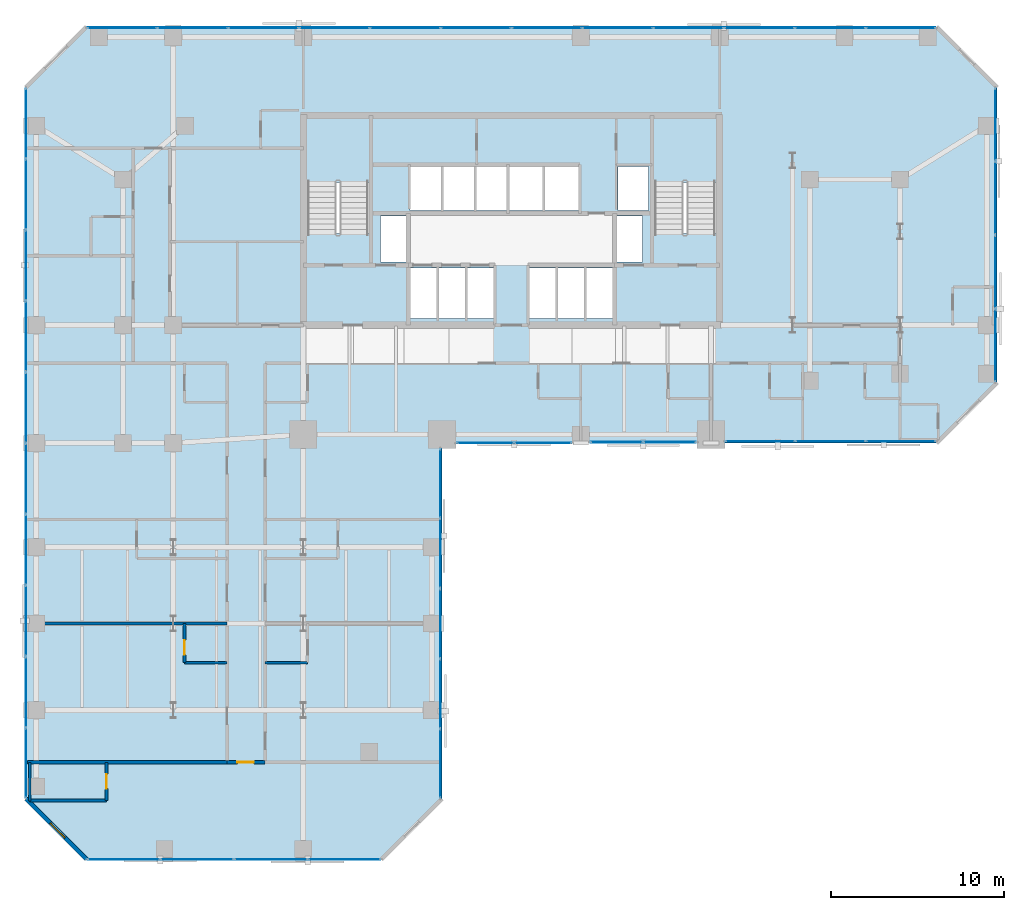
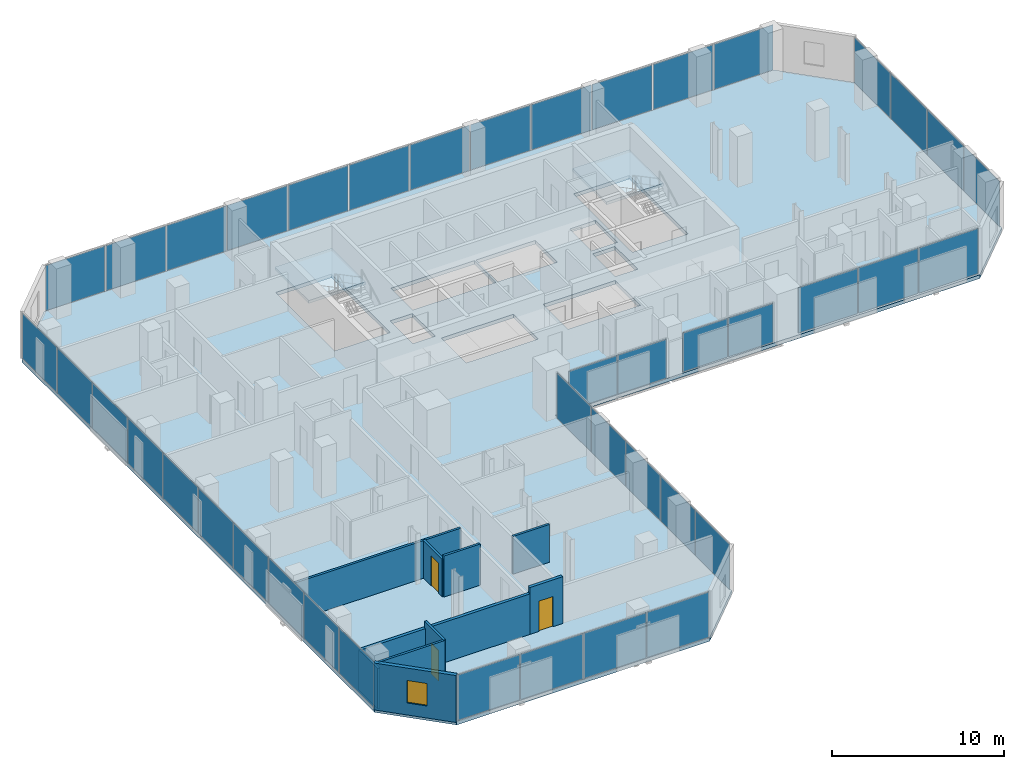
# One storey, part 26 of 31: 42 plates, 10 walls, 3 doors, 3 slabs, 1 window, 4 openings, 10 elements without a shape of their own.
"""IFC4 building model written with IfcOpenShell, lengths in metres."""

from ifc_helpers import new_model, si_unit, direction, frame, frame_2d, origin, origin_2d, place, context, subcontext, project, spatial, polyline, rectangle, outline, extrude, material, layer, layer_set, type_object, element, fill, aggregate, save


model = new_model("IFC4")

# Units and contexts
model_context = context("Model", 3, precision=1e-05, world=origin(), true_north=direction((0.0, 1.0)))
body_context = subcontext(model_context, "Body", "Model", "MODEL_VIEW")
ifc_project = project(units=[si_unit("LENGTHUNIT", "METRE"), si_unit("AREAUNIT", "SQUARE_METRE"), si_unit("VOLUMEUNIT", "CUBIC_METRE"), si_unit("PLANEANGLEUNIT", "RADIAN"), si_unit("MASSUNIT", "GRAM", prefix="KILO")], contexts=[model_context])

# Site, building, storey
site_placement = place(None, origin())
site = spatial("IfcSite", under=ifc_project, at=site_placement, CompositionType="ELEMENT")
building_placement = place(site_placement, origin())
building = spatial("IfcBuilding", under=site, at=building_placement, Name="Catumbela Crestline Tower", CompositionType="ELEMENT")
storey_placement = place(building_placement, frame((0.0, 0.0, 25.8)))
storey = spatial("IfcBuildingStorey", under=building, at=storey_placement, Name="L05", CompositionType="ELEMENT", Elevation=25.8)

# Curtain wall, plates
ifc_material_1 = material(Name="Aluminium alloy AW-6060-T66", Category="aluminium")
ifc_layer_1 = layer(ifc_material_1, 0.18, Name="Aluminium alloy AW-6060-T66")
ifc_layer_set_1 = layer_set([ifc_layer_1], Name="Aluminium alloy AW-6060-T66")
curtain_wall_type = type_object("IfcCurtainWallType", Name="CWU-Z1", PredefinedType="USERDEFINED", material=ifc_layer_set_1)
curtain_wall_1_placement = place(storey_placement, origin())
curtain_wall_1 = element("IfcCurtainWall", 1, at=curtain_wall_1_placement, inside=storey, type_object=curtain_wall_type, Name="L05 Unitised Curtain Wall CW-L05-E0S1", ObjectType="UNITISED", PredefinedType="USERDEFINED")
ifc_material_2 = material(Name="Low-E laminated solar-control double glazing", Category="glass")
ifc_layer_2 = layer(ifc_material_2, 0.034, Name="Low-E laminated solar-control double glazing")
ifc_layer_set_2 = layer_set([ifc_layer_2], Name="Low-E laminated solar-control double glazing")
plate_type = type_object("IfcPlateType", Name="PNL-GLZ-Z1", PredefinedType="CURTAIN_PANEL", material=ifc_layer_set_2)
plate_1_placement = place(storey_placement, frame((5.6412, 0.0, 0.06), z_axis=(0.0, 0.0, 1.0), x_axis=(1.0, 0.0, 0.0)))
plate_1 = element("IfcPlate", 2, at=plate_1_placement, type_object=plate_type, Name="CWU-Z1 panel 1.1", PredefinedType="CURTAIN_PANEL", context=body_context, shape_type="SweptSolid", body=[
    extrude(rectangle(XDim=4.1525, YDim=0.034, at=origin_2d()), origin(), (0.0, 0.0, 1.0), 3.21),
])
plate_2_placement = place(storey_placement, frame((9.875, 0.0, 0.06), z_axis=(0.0, 0.0, 1.0), x_axis=(1.0, 0.0, 0.0)))
plate_2 = element("IfcPlate", 3, at=plate_2_placement, type_object=plate_type, Name="CWU-Z1 panel 2.1", PredefinedType="CURTAIN_PANEL", context=body_context, shape_type="SweptSolid", body=[
    extrude(rectangle(XDim=4.185, YDim=0.034, at=origin_2d()), origin(), (0.0, 0.0, 1.0), 3.21),
])
plate_3_placement = place(storey_placement, frame((14.125, 0.0, 0.06), z_axis=(0.0, 0.0, 1.0), x_axis=(1.0, 0.0, 0.0)))
plate_3 = element("IfcPlate", 4, at=plate_3_placement, type_object=plate_type, Name="CWU-Z1 panel 3.1", PredefinedType="CURTAIN_PANEL", context=body_context, shape_type="SweptSolid", body=[
    extrude(rectangle(XDim=4.185, YDim=0.034, at=origin_2d()), origin(), (0.0, 0.0, 1.0), 3.21),
])
plate_4_placement = place(storey_placement, frame((18.3588, 0.0, 0.06), z_axis=(0.0, 0.0, 1.0), x_axis=(1.0, 0.0, 0.0)))
plate_4 = element("IfcPlate", 5, at=plate_4_placement, type_object=plate_type, Name="CWU-Z1 panel 4.1", PredefinedType="CURTAIN_PANEL", context=body_context, shape_type="SweptSolid", body=[
    extrude(rectangle(XDim=4.1525, YDim=0.034, at=origin_2d()), origin(), (0.0, 0.0, 1.0), 3.21),
])
aggregate(curtain_wall_1, [plate_1, plate_2, plate_3, plate_4])

curtain_wall_2_placement = place(storey_placement, origin())
curtain_wall_2 = element("IfcCurtainWall", 6, at=curtain_wall_2_placement, inside=storey, type_object=curtain_wall_type, Name="L05 Unitised Curtain Wall CW-L05-E2S1", ObjectType="UNITISED", PredefinedType="USERDEFINED")
plate_5_placement = place(storey_placement, frame((23.9, 5.5362, 0.06), z_axis=(0.0, 0.0, 1.0), x_axis=(0.0, 1.0, 0.0)))
plate_5 = element("IfcPlate", 7, at=plate_5_placement, type_object=plate_type, Name="CWU-Z1 panel 1.1", PredefinedType="CURTAIN_PANEL", context=body_context, shape_type="SweptSolid", body=[
    extrude(rectangle(XDim=3.9425, YDim=0.034, at=origin_2d()), origin(), (0.0, 0.0, 1.0), 3.21),
])
plate_6_placement = place(storey_placement, frame((23.9, 9.56, 0.06), z_axis=(0.0, 0.0, 1.0), x_axis=(0.0, 1.0, 0.0)))
plate_6 = element("IfcPlate", 8, at=plate_6_placement, type_object=plate_type, Name="CWU-Z1 panel 2.1", PredefinedType="CURTAIN_PANEL", context=body_context, shape_type="SweptSolid", body=[
    extrude(rectangle(XDim=3.975, YDim=0.034, at=origin_2d()), origin(), (0.0, 0.0, 1.0), 3.21),
])
plate_7_placement = place(storey_placement, frame((23.9, 13.6, 0.06), z_axis=(0.0, 0.0, 1.0), x_axis=(0.0, 1.0, 0.0)))
plate_7 = element("IfcPlate", 9, at=plate_7_placement, type_object=plate_type, Name="CWU-Z1 panel 3.1", PredefinedType="CURTAIN_PANEL", context=body_context, shape_type="SweptSolid", body=[
    extrude(rectangle(XDim=3.975, YDim=0.034, at=origin_2d()), origin(), (0.0, 0.0, 1.0), 3.21),
])
plate_8_placement = place(storey_placement, frame((23.9, 17.64, 0.06), z_axis=(0.0, 0.0, 1.0), x_axis=(0.0, 1.0, 0.0)))
plate_8 = element("IfcPlate", 10, at=plate_8_placement, type_object=plate_type, Name="CWU-Z1 panel 4.1", PredefinedType="CURTAIN_PANEL", context=body_context, shape_type="SweptSolid", body=[
    extrude(rectangle(XDim=3.975, YDim=0.034, at=origin_2d()), origin(), (0.0, 0.0, 1.0), 3.21),
])
plate_9_placement = place(storey_placement, frame((23.9, 21.6638, 0.06), z_axis=(0.0, 0.0, 1.0), x_axis=(0.0, 1.0, 0.0)))
plate_9 = element("IfcPlate", 11, at=plate_9_placement, type_object=plate_type, Name="CWU-Z1 panel 5.1", PredefinedType="CURTAIN_PANEL", context=body_context, shape_type="SweptSolid", body=[
    extrude(rectangle(XDim=3.9425, YDim=0.034, at=origin_2d()), origin(), (0.0, 0.0, 1.0), 3.21),
])
aggregate(curtain_wall_2, [plate_5, plate_6, plate_7, plate_8, plate_9])

curtain_wall_3_placement = place(storey_placement, origin())
curtain_wall_3 = element("IfcCurtainWall", 12, at=curtain_wall_3_placement, inside=storey, type_object=curtain_wall_type, Name="L05 Unitised Curtain Wall CW-L05-E3S1", ObjectType="UNITISED", PredefinedType="USERDEFINED")
plate_10_placement = place(storey_placement, frame((26.4912, 24.0, 0.06), z_axis=(0.0, 0.0, 1.0), x_axis=(1.0, 0.0, 0.0)))
plate_10 = element("IfcPlate", 13, at=plate_10_placement, type_object=plate_type, Name="CWU-Z1 panel 1.1", PredefinedType="CURTAIN_PANEL", context=body_context, shape_type="SweptSolid", body=[
    extrude(rectangle(XDim=3.2525, YDim=0.034, at=origin_2d()), origin(), (0.0, 0.0, 1.0), 2.75),
])
plate_11_placement = place(storey_placement, frame((29.8088, 24.0, 0.06), z_axis=(0.0, 0.0, 1.0), x_axis=(1.0, 0.0, 0.0)))
plate_11 = element("IfcPlate", 14, at=plate_11_placement, type_object=plate_type, Name="CWU-Z1 panel 2.1", PredefinedType="CURTAIN_PANEL", context=body_context, shape_type="SweptSolid", body=[
    extrude(rectangle(XDim=3.2525, YDim=0.034, at=origin_2d()), origin(), (0.0, 0.0, 1.0), 2.75),
])
aggregate(curtain_wall_3, [plate_10, plate_11])

curtain_wall_4_placement = place(storey_placement, origin())
curtain_wall_4 = element("IfcCurtainWall", 15, at=curtain_wall_4_placement, inside=storey, type_object=curtain_wall_type, Name="L05 Unitised Curtain Wall CW-L05-E3S2", ObjectType="UNITISED", PredefinedType="USERDEFINED")
plate_12_placement = place(storey_placement, frame((34.0662, 24.05, 0.06), z_axis=(0.0, 0.0, 1.0), x_axis=(1.0, 0.0, 0.0)))
plate_12 = element("IfcPlate", 16, at=plate_12_placement, type_object=plate_type, Name="CWU-Z1 panel 1.1", PredefinedType="CURTAIN_PANEL", context=body_context, shape_type="SweptSolid", body=[
    extrude(rectangle(XDim=3.0025, YDim=0.034, at=origin_2d()), origin(), (0.0, 0.0, 1.0), 2.75),
])
plate_13_placement = place(storey_placement, frame((37.1338, 24.05, 0.06), z_axis=(0.0, 0.0, 1.0), x_axis=(1.0, 0.0, 0.0)))
plate_13 = element("IfcPlate", 17, at=plate_13_placement, type_object=plate_type, Name="CWU-Z1 panel 2.1", PredefinedType="CURTAIN_PANEL", context=body_context, shape_type="SweptSolid", body=[
    extrude(rectangle(XDim=3.0025, YDim=0.034, at=origin_2d()), origin(), (0.0, 0.0, 1.0), 2.75),
])
aggregate(curtain_wall_4, [plate_12, plate_13])

curtain_wall_5_placement = place(storey_placement, origin())
curtain_wall_5 = element("IfcCurtainWall", 18, at=curtain_wall_5_placement, inside=storey, type_object=curtain_wall_type, Name="L05 Unitised Curtain Wall CW-L05-E3S3", ObjectType="UNITISED", PredefinedType="USERDEFINED")
plate_14_placement = place(storey_placement, frame((42.3496, 24.1, 0.06), z_axis=(0.0, 0.0, 1.0), x_axis=(1.0, 0.0, 0.0)))
plate_14 = element("IfcPlate", 19, at=plate_14_placement, type_object=plate_type, Name="CWU-Z1 panel 1.1", PredefinedType="CURTAIN_PANEL", context=body_context, shape_type="SweptSolid", body=[
    extrude(rectangle(XDim=3.9692, YDim=0.034, at=origin_2d()), origin(), (0.0, 0.0, 1.0), 3.21),
])
plate_15_placement = place(storey_placement, frame((46.4, 24.1, 0.06), z_axis=(0.0, 0.0, 1.0), x_axis=(1.0, 0.0, 0.0)))
plate_15 = element("IfcPlate", 20, at=plate_15_placement, type_object=plate_type, Name="CWU-Z1 panel 2.1", PredefinedType="CURTAIN_PANEL", context=body_context, shape_type="SweptSolid", body=[
    extrude(rectangle(XDim=4.0017, YDim=0.034, at=origin_2d()), origin(), (0.0, 0.0, 1.0), 3.21),
])
plate_16_placement = place(storey_placement, frame((50.4504, 24.1, 0.06), z_axis=(0.0, 0.0, 1.0), x_axis=(1.0, 0.0, 0.0)))
plate_16 = element("IfcPlate", 21, at=plate_16_placement, type_object=plate_type, Name="CWU-Z1 panel 3.1", PredefinedType="CURTAIN_PANEL", context=body_context, shape_type="SweptSolid", body=[
    extrude(rectangle(XDim=3.9692, YDim=0.034, at=origin_2d()), origin(), (0.0, 0.0, 1.0), 3.21),
])
aggregate(curtain_wall_5, [plate_14, plate_15, plate_16])

curtain_wall_6_placement = place(storey_placement, origin())
curtain_wall_6 = element("IfcCurtainWall", 22, at=curtain_wall_6_placement, inside=storey, type_object=curtain_wall_type, Name="L05 Unitised Curtain Wall CW-L05-E5S1", ObjectType="UNITISED", PredefinedType="USERDEFINED")
plate_17_placement = place(storey_placement, frame((55.9, 29.6412, 0.06), z_axis=(0.0, 0.0, 1.0), x_axis=(0.0, 1.0, 0.0)))
plate_17 = element("IfcPlate", 23, at=plate_17_placement, type_object=plate_type, Name="CWU-Z1 panel 1.1", PredefinedType="CURTAIN_PANEL", context=body_context, shape_type="SweptSolid", body=[
    extrude(rectangle(XDim=4.1525, YDim=0.034, at=origin_2d()), origin(), (0.0, 0.0, 1.0), 3.21),
])
plate_18_placement = place(storey_placement, frame((55.9, 33.875, 0.06), z_axis=(0.0, 0.0, 1.0), x_axis=(0.0, 1.0, 0.0)))
plate_18 = element("IfcPlate", 24, at=plate_18_placement, type_object=plate_type, Name="CWU-Z1 panel 2.1", PredefinedType="CURTAIN_PANEL", context=body_context, shape_type="SweptSolid", body=[
    extrude(rectangle(XDim=4.185, YDim=0.034, at=origin_2d()), origin(), (0.0, 0.0, 1.0), 3.21),
])
plate_19_placement = place(storey_placement, frame((55.9, 38.125, 0.06), z_axis=(0.0, 0.0, 1.0), x_axis=(0.0, 1.0, 0.0)))
plate_19 = element("IfcPlate", 25, at=plate_19_placement, type_object=plate_type, Name="CWU-Z1 panel 3.1", PredefinedType="CURTAIN_PANEL", context=body_context, shape_type="SweptSolid", body=[
    extrude(rectangle(XDim=4.185, YDim=0.034, at=origin_2d()), origin(), (0.0, 0.0, 1.0), 3.21),
])
plate_20_placement = place(storey_placement, frame((55.9, 42.3588, 0.06), z_axis=(0.0, 0.0, 1.0), x_axis=(0.0, 1.0, 0.0)))
plate_20 = element("IfcPlate", 26, at=plate_20_placement, type_object=plate_type, Name="CWU-Z1 panel 4.1", PredefinedType="CURTAIN_PANEL", context=body_context, shape_type="SweptSolid", body=[
    extrude(rectangle(XDim=4.1525, YDim=0.034, at=origin_2d()), origin(), (0.0, 0.0, 1.0), 3.21),
])
aggregate(curtain_wall_6, [plate_17, plate_18, plate_19, plate_20])

curtain_wall_7_placement = place(storey_placement, origin())
curtain_wall_7 = element("IfcCurtainWall", 27, at=curtain_wall_7_placement, inside=storey, type_object=curtain_wall_type, Name="L05 Unitised Curtain Wall CW-L05-E7S1", ObjectType="UNITISED", PredefinedType="USERDEFINED")
plate_21_placement = place(storey_placement, frame((50.4421, 47.95, 0.06), z_axis=(0.0, 0.0, 1.0), x_axis=(-1.0, 0.0, 0.0)))
plate_21 = element("IfcPlate", 28, at=plate_21_placement, type_object=plate_type, Name="CWU-Z1 panel 1.1", PredefinedType="CURTAIN_PANEL", context=body_context, shape_type="SweptSolid", body=[
    extrude(rectangle(XDim=3.9858, YDim=0.034, at=origin_2d()), origin(), (0.0, 0.0, 1.0), 3.21),
])
plate_22_placement = place(storey_placement, frame((46.375, 47.95, 0.06), z_axis=(0.0, 0.0, 1.0), x_axis=(-1.0, 0.0, 0.0)))
plate_22 = element("IfcPlate", 29, at=plate_22_placement, type_object=plate_type, Name="CWU-Z1 panel 2.1", PredefinedType="CURTAIN_PANEL", context=body_context, shape_type="SweptSolid", body=[
    extrude(rectangle(XDim=4.0183, YDim=0.034, at=origin_2d()), origin(), (0.0, 0.0, 1.0), 3.21),
])
plate_23_placement = place(storey_placement, frame((42.2917, 47.95, 0.06), z_axis=(0.0, 0.0, 1.0), x_axis=(-1.0, 0.0, 0.0)))
plate_23 = element("IfcPlate", 30, at=plate_23_placement, type_object=plate_type, Name="CWU-Z1 panel 3.1", PredefinedType="CURTAIN_PANEL", context=body_context, shape_type="SweptSolid", body=[
    extrude(rectangle(XDim=4.0183, YDim=0.034, at=origin_2d()), origin(), (0.0, 0.0, 1.0), 3.21),
])
plate_24_placement = place(storey_placement, frame((38.2083, 47.95, 0.06), z_axis=(0.0, 0.0, 1.0), x_axis=(-1.0, 0.0, 0.0)))
plate_24 = element("IfcPlate", 31, at=plate_24_placement, type_object=plate_type, Name="CWU-Z1 panel 4.1", PredefinedType="CURTAIN_PANEL", context=body_context, shape_type="SweptSolid", body=[
    extrude(rectangle(XDim=4.0183, YDim=0.034, at=origin_2d()), origin(), (0.0, 0.0, 1.0), 3.21),
])
plate_25_placement = place(storey_placement, frame((34.125, 47.95, 0.06), z_axis=(0.0, 0.0, 1.0), x_axis=(-1.0, 0.0, 0.0)))
plate_25 = element("IfcPlate", 32, at=plate_25_placement, type_object=plate_type, Name="CWU-Z1 panel 5.1", PredefinedType="CURTAIN_PANEL", context=body_context, shape_type="SweptSolid", body=[
    extrude(rectangle(XDim=4.0183, YDim=0.034, at=origin_2d()), origin(), (0.0, 0.0, 1.0), 3.21),
])
plate_26_placement = place(storey_placement, frame((30.0417, 47.95, 0.06), z_axis=(0.0, 0.0, 1.0), x_axis=(-1.0, 0.0, 0.0)))
plate_26 = element("IfcPlate", 33, at=plate_26_placement, type_object=plate_type, Name="CWU-Z1 panel 6.1", PredefinedType="CURTAIN_PANEL", context=body_context, shape_type="SweptSolid", body=[
    extrude(rectangle(XDim=4.0183, YDim=0.034, at=origin_2d()), origin(), (0.0, 0.0, 1.0), 3.21),
])
plate_27_placement = place(storey_placement, frame((25.9583, 47.95, 0.06), z_axis=(0.0, 0.0, 1.0), x_axis=(-1.0, 0.0, 0.0)))
plate_27 = element("IfcPlate", 34, at=plate_27_placement, type_object=plate_type, Name="CWU-Z1 panel 7.1", PredefinedType="CURTAIN_PANEL", context=body_context, shape_type="SweptSolid", body=[
    extrude(rectangle(XDim=4.0183, YDim=0.034, at=origin_2d()), origin(), (0.0, 0.0, 1.0), 3.21),
])
plate_28_placement = place(storey_placement, frame((21.875, 47.95, 0.06), z_axis=(0.0, 0.0, 1.0), x_axis=(-1.0, 0.0, 0.0)))
plate_28 = element("IfcPlate", 35, at=plate_28_placement, type_object=plate_type, Name="CWU-Z1 panel 8.1", PredefinedType="CURTAIN_PANEL", context=body_context, shape_type="SweptSolid", body=[
    extrude(rectangle(XDim=4.0183, YDim=0.034, at=origin_2d()), origin(), (0.0, 0.0, 1.0), 3.21),
])
plate_29_placement = place(storey_placement, frame((17.7917, 47.95, 0.06), z_axis=(0.0, 0.0, 1.0), x_axis=(-1.0, 0.0, 0.0)))
plate_29 = element("IfcPlate", 36, at=plate_29_placement, type_object=plate_type, Name="CWU-Z1 panel 9.1", PredefinedType="CURTAIN_PANEL", context=body_context, shape_type="SweptSolid", body=[
    extrude(rectangle(XDim=4.0183, YDim=0.034, at=origin_2d()), origin(), (0.0, 0.0, 1.0), 3.21),
])
plate_30_placement = place(storey_placement, frame((13.7083, 47.95, 0.06), z_axis=(0.0, 0.0, 1.0), x_axis=(-1.0, 0.0, 0.0)))
plate_30 = element("IfcPlate", 37, at=plate_30_placement, type_object=plate_type, Name="CWU-Z1 panel 10.1", PredefinedType="CURTAIN_PANEL", context=body_context, shape_type="SweptSolid", body=[
    extrude(rectangle(XDim=4.0183, YDim=0.034, at=origin_2d()), origin(), (0.0, 0.0, 1.0), 3.21),
])
plate_31_placement = place(storey_placement, frame((9.625, 47.95, 0.06), z_axis=(0.0, 0.0, 1.0), x_axis=(-1.0, 0.0, 0.0)))
plate_31 = element("IfcPlate", 38, at=plate_31_placement, type_object=plate_type, Name="CWU-Z1 panel 11.1", PredefinedType="CURTAIN_PANEL", context=body_context, shape_type="SweptSolid", body=[
    extrude(rectangle(XDim=4.0183, YDim=0.034, at=origin_2d()), origin(), (0.0, 0.0, 1.0), 3.21),
])
plate_32_placement = place(storey_placement, frame((5.5579, 47.95, 0.06), z_axis=(0.0, 0.0, 1.0), x_axis=(-1.0, 0.0, 0.0)))
plate_32 = element("IfcPlate", 39, at=plate_32_placement, type_object=plate_type, Name="CWU-Z1 panel 12.1", PredefinedType="CURTAIN_PANEL", context=body_context, shape_type="SweptSolid", body=[
    extrude(rectangle(XDim=3.9858, YDim=0.034, at=origin_2d()), origin(), (0.0, 0.0, 1.0), 3.21),
])
aggregate(curtain_wall_7, [plate_21, plate_22, plate_23, plate_24, plate_25, plate_26, plate_27, plate_28, plate_29, plate_30, plate_31, plate_32])

curtain_wall_8_placement = place(storey_placement, origin())
curtain_wall_8 = element("IfcCurtainWall", 40, at=curtain_wall_8_placement, inside=storey, type_object=curtain_wall_type, Name="L05 Unitised Curtain Wall CW-L05-E9S1", ObjectType="UNITISED", PredefinedType="USERDEFINED")
plate_33_placement = place(storey_placement, frame((0.0, 42.4338, 0.06), z_axis=(0.0, 0.0, 1.0), x_axis=(0.0, -1.0, 0.0)))
plate_33 = element("IfcPlate", 41, at=plate_33_placement, type_object=plate_type, Name="CWU-Z1 panel 1.1", PredefinedType="CURTAIN_PANEL", context=body_context, shape_type="SweptSolid", body=[
    extrude(rectangle(XDim=4.0025, YDim=0.034, at=origin_2d()), origin(), (0.0, 0.0, 1.0), 3.21),
])
plate_34_placement = place(storey_placement, frame((0.0, 38.35, 0.06), z_axis=(0.0, 0.0, 1.0), x_axis=(0.0, -1.0, 0.0)))
plate_34 = element("IfcPlate", 42, at=plate_34_placement, type_object=plate_type, Name="CWU-Z1 panel 2.1", PredefinedType="CURTAIN_PANEL", context=body_context, shape_type="SweptSolid", body=[
    extrude(rectangle(XDim=4.035, YDim=0.034, at=origin_2d()), origin(), (0.0, 0.0, 1.0), 3.21),
])
plate_35_placement = place(storey_placement, frame((0.0, 34.25, 0.06), z_axis=(0.0, 0.0, 1.0), x_axis=(0.0, -1.0, 0.0)))
plate_35 = element("IfcPlate", 43, at=plate_35_placement, type_object=plate_type, Name="CWU-Z1 panel 3.1", PredefinedType="CURTAIN_PANEL", context=body_context, shape_type="SweptSolid", body=[
    extrude(rectangle(XDim=4.035, YDim=0.034, at=origin_2d()), origin(), (0.0, 0.0, 1.0), 3.21),
])
plate_36_placement = place(storey_placement, frame((0.0, 30.15, 0.06), z_axis=(0.0, 0.0, 1.0), x_axis=(0.0, -1.0, 0.0)))
plate_36 = element("IfcPlate", 44, at=plate_36_placement, type_object=plate_type, Name="CWU-Z1 panel 4.1", PredefinedType="CURTAIN_PANEL", context=body_context, shape_type="SweptSolid", body=[
    extrude(rectangle(XDim=4.035, YDim=0.034, at=origin_2d()), origin(), (0.0, 0.0, 1.0), 3.21),
])
plate_37_placement = place(storey_placement, frame((0.0, 26.05, 0.06), z_axis=(0.0, 0.0, 1.0), x_axis=(0.0, -1.0, 0.0)))
plate_37 = element("IfcPlate", 45, at=plate_37_placement, type_object=plate_type, Name="CWU-Z1 panel 5.1", PredefinedType="CURTAIN_PANEL", context=body_context, shape_type="SweptSolid", body=[
    extrude(rectangle(XDim=4.035, YDim=0.034, at=origin_2d()), origin(), (0.0, 0.0, 1.0), 3.21),
])
plate_38_placement = place(storey_placement, frame((0.0, 21.95, 0.06), z_axis=(0.0, 0.0, 1.0), x_axis=(0.0, -1.0, 0.0)))
plate_38 = element("IfcPlate", 46, at=plate_38_placement, type_object=plate_type, Name="CWU-Z1 panel 6.1", PredefinedType="CURTAIN_PANEL", context=body_context, shape_type="SweptSolid", body=[
    extrude(rectangle(XDim=4.035, YDim=0.034, at=origin_2d()), origin(), (0.0, 0.0, 1.0), 3.21),
])
plate_39_placement = place(storey_placement, frame((0.0, 17.85, 0.06), z_axis=(0.0, 0.0, 1.0), x_axis=(0.0, -1.0, 0.0)))
plate_39 = element("IfcPlate", 47, at=plate_39_placement, type_object=plate_type, Name="CWU-Z1 panel 7.1", PredefinedType="CURTAIN_PANEL", context=body_context, shape_type="SweptSolid", body=[
    extrude(rectangle(XDim=4.035, YDim=0.034, at=origin_2d()), origin(), (0.0, 0.0, 1.0), 3.21),
])
plate_40_placement = place(storey_placement, frame((0.0, 13.75, 0.06), z_axis=(0.0, 0.0, 1.0), x_axis=(0.0, -1.0, 0.0)))
plate_40 = element("IfcPlate", 48, at=plate_40_placement, type_object=plate_type, Name="CWU-Z1 panel 8.1", PredefinedType="CURTAIN_PANEL", context=body_context, shape_type="SweptSolid", body=[
    extrude(rectangle(XDim=4.035, YDim=0.034, at=origin_2d()), origin(), (0.0, 0.0, 1.0), 3.21),
])
plate_41_placement = place(storey_placement, frame((0.0, 9.65, 0.06), z_axis=(0.0, 0.0, 1.0), x_axis=(0.0, -1.0, 0.0)))
plate_41 = element("IfcPlate", 49, at=plate_41_placement, type_object=plate_type, Name="CWU-Z1 panel 9.1", PredefinedType="CURTAIN_PANEL", context=body_context, shape_type="SweptSolid", body=[
    extrude(rectangle(XDim=4.035, YDim=0.034, at=origin_2d()), origin(), (0.0, 0.0, 1.0), 3.21),
])
plate_42_placement = place(storey_placement, frame((0.0, 5.5662, 0.06), z_axis=(0.0, 0.0, 1.0), x_axis=(0.0, -1.0, 0.0)))
plate_42 = element("IfcPlate", 50, at=plate_42_placement, type_object=plate_type, Name="CWU-Z1 panel 10.1", PredefinedType="CURTAIN_PANEL", context=body_context, shape_type="SweptSolid", body=[
    extrude(rectangle(XDim=4.0025, YDim=0.034, at=origin_2d()), origin(), (0.0, 0.0, 1.0), 3.21),
])
aggregate(curtain_wall_8, [plate_33, plate_34, plate_35, plate_36, plate_37, plate_38, plate_39, plate_40, plate_41, plate_42])

# Stair, slab
ifc_material_3 = material(Name="Concrete C45/55", Category="concrete")
stair_type = type_object("IfcStairType", Name="ST-DLG", PredefinedType="HALF_TURN_STAIR", material=ifc_material_3)
stair_1_placement = place(storey_placement, origin())
stair_1 = element("IfcStair", 51, at=stair_1_placement, inside=storey, type_object=stair_type, Name="L05 West Core Pressurised Exit Stair ST-01", PredefinedType="HALF_TURN_STAIR")
ifc_layer_3 = layer(ifc_material_3, 0.2, Name="Concrete C45/55")
ifc_layer_set_3 = layer_set([ifc_layer_3], Name="Concrete C45/55")
slab_type_1 = type_object("IfcSlabType", Name="SL-LND", PredefinedType="LANDING", material=ifc_layer_set_3)
slab_1_placement = place(storey_placement, frame((0.0, 0.0, 1.6)))
slab_1 = element("IfcSlab", 52, at=slab_1_placement, type_object=slab_type_1, Name="ST-01 landing 1", PredefinedType="LANDING", context=body_context, shape_type="SweptSolid", body=[
    extrude(outline(polyline([(19.91, 39.02), (19.91, 42.96), (16.09, 42.96), (16.09, 39.02), (19.91, 39.02)])), origin(), (0.0, 0.0, 1.0), 0.2),
])
aggregate(stair_1, [slab_1])

stair_2_placement = place(storey_placement, origin())
stair_2 = element("IfcStair", 53, at=stair_2_placement, inside=storey, type_object=stair_type, Name="L05 East Core Pressurised Exit Stair ST-02", PredefinedType="HALF_TURN_STAIR")
slab_2_placement = place(storey_placement, frame((0.0, 0.0, 1.6)))
slab_2 = element("IfcSlab", 54, at=slab_2_placement, type_object=slab_type_1, Name="ST-02 landing 1", PredefinedType="LANDING", context=body_context, shape_type="SweptSolid", body=[
    extrude(outline(polyline([(39.91, 39.02), (39.91, 42.96), (36.09, 42.96), (36.09, 39.02), (39.91, 39.02)])), origin(), (0.0, 0.0, 1.0), 0.2),
])
aggregate(stair_2, [slab_2])

# Slab
ifc_layer_4 = layer(ifc_material_3, 0.26, Name="Concrete C45/55")
ifc_layer_set_4 = layer_set([ifc_layer_4], Name="Concrete C45/55")
slab_type_2 = type_object("IfcSlabType", Name="SL-260", PredefinedType="FLOOR", material=ifc_layer_set_4)
slab_3_placement = place(storey_placement, frame((0.0, 0.0, -0.26)))
element("IfcSlab", 55, at=slab_3_placement, inside=storey, type_object=slab_type_2, Name="L05 Structural Floor Slab", PredefinedType="FLOOR", context=body_context, shape_type="SweptSolid", body=[
    extrude(outline(polyline([(3.5, 0.0), (20.5, 0.0), (24.0, 3.5), (24.0, 24.0), (52.5, 24.0), (56.0, 27.5), (56.0, 44.5), (52.5, 48.0), (3.5, 48.0), (0.0, 44.5), (0.0, 3.5), (3.5, 0.0)]), holes=[polyline([(16.13, 36.08), (19.87, 36.08), (19.87, 42.92), (16.13, 42.92), (16.13, 36.08)]), polyline([(36.13, 36.08), (39.87, 36.08), (39.87, 42.92), (36.13, 42.92), (36.13, 36.08)]), polyline([(22.15, 31.2), (27.0, 31.2), (27.0, 34.1), (22.15, 34.1), (22.15, 31.2)]), polyline([(29.0, 31.2), (33.85, 31.2), (33.85, 34.1), (29.0, 34.1), (29.0, 31.2)]), polyline([(22.15, 37.4), (27.75, 37.4), (27.75, 39.95), (22.15, 39.95), (22.15, 37.4)]), polyline([(27.85, 37.4), (31.85, 37.4), (31.85, 39.95), (27.85, 39.95), (27.85, 37.4)]), polyline([(20.45, 34.45), (21.95, 34.45), (21.95, 37.1), (20.45, 37.1), (20.45, 34.45)]), polyline([(34.05, 34.45), (35.55, 34.45), (35.55, 37.1), (34.05, 37.1), (34.05, 34.45)]), polyline([(34.15, 37.4), (35.9, 37.4), (35.9, 39.95), (34.15, 39.95), (34.15, 37.4)])]), origin(), (0.0, 0.0, 1.0), 0.26),
])

# Wall, opening, door
ifc_material_4 = material(Name="Acoustic gypsum and mineral-wool partition")
ifc_layer_5 = layer(ifc_material_4, 0.2, Name="Acoustic gypsum and mineral-wool partition")
ifc_layer_set_5 = layer_set([ifc_layer_5], Name="Acoustic gypsum and mineral-wool partition")
wall_type_1 = type_object("IfcWallType", Name="WC-200", PredefinedType="PARTITIONING", material=ifc_layer_set_5)
wall_1_placement = place(storey_placement, frame((11.6, 5.6, 0.0), z_axis=(0.0, 0.0, 1.0), x_axis=(1.0, 0.0, 0.0)))
wall_1 = element("IfcWall", 56, at=wall_1_placement, inside=storey, type_object=wall_type_1, Name="L05 Interior Partition PW-L05-WTIP-ENT", PredefinedType="PARTITIONING", context=body_context, shape_type="SweptSolid", body=[
    extrude(rectangle(XDim=2.2, YDim=0.2, at=frame_2d((1.1, 0.0))), origin(), (0.0, 0.0, 1.0), 3.33),
])
opening_1_placement = place(wall_1_placement, frame((0.5925, 0.0, 0.0)))
opening_1 = element("IfcOpeningElement", 57, at=opening_1_placement, cuts=wall_1, Name="Opening DF6-095", PredefinedType="OPENING", context=body_context, shape_type="SweptSolid", body=[
    extrude(rectangle(XDim=0.95, YDim=2.15, at=frame_2d((0.475, 1.075))), frame((0.0, 0.11, 0.0), z_axis=(0.0, -1.0, 0.0), x_axis=(1.0, 0.0, 0.0)), (0.0, 0.0, 1.0), 0.22),
])
door_type_1 = type_object("IfcDoorType", Name="DF6-095", OperationType="NOTDEFINED", PredefinedType="DOOR", material=ifc_material_1)
door_1_placement = place(opening_1_placement, origin())
door_1 = element("IfcDoor", 58, at=door_1_placement, inside=storey, type_object=door_type_1, Name="L05 Interior Door DR-L05-WTIP-ENT", OperationType="SINGLE_SWING_LEFT", OverallHeight=2.15, OverallWidth=0.95, PredefinedType="DOOR", context=body_context, shape_type="SweptSolid", body=[
    extrude(rectangle(XDim=0.95, YDim=2.15, at=frame_2d((0.475, 1.075))), frame((0.0, 0.025, 0.0), z_axis=(0.0, -1.0, 0.0), x_axis=(1.0, 0.0, 0.0)), (0.0, 0.0, 1.0), 0.05),
])
fill(opening_1, door_1)

# Wall, opening, window
ifc_material_5 = material(Name="Angolan grey-ochre granite", Category="masonry")
ifc_layer_6 = layer(ifc_material_5, 0.25, Name="Angolan grey-ochre granite")
ifc_layer_set_6 = layer_set([ifc_layer_6], Name="Angolan grey-ochre granite")
wall_type_2 = type_object("IfcWallType", Name="WE-250", PredefinedType="STANDARD", material=ifc_layer_set_6)
wall_2_placement = place(storey_placement, frame((0.0, 3.5, 0.0), z_axis=(0.0, 0.0, 1.0), x_axis=(0.707106781187, -0.707106781187, 0.0)))
wall_2 = element("IfcWall", 59, at=wall_2_placement, inside=storey, type_object=wall_type_2, Name="L05 Granite Punched Window Wall 10-1", PredefinedType="STANDARD", context=body_context, shape_type="SweptSolid", body=[
    extrude(rectangle(XDim=4.9497, YDim=0.25, at=frame_2d((2.4748, 0.0))), origin(), (0.0, 0.0, 1.0), 3.33),
])
opening_2_placement = place(wall_2_placement, frame((1.9851, 0.0, 0.85)))
opening_2 = element("IfcOpeningElement", 60, at=opening_2_placement, cuts=wall_2, Name="Opening WN-02", PredefinedType="OPENING", context=body_context, shape_type="SweptSolid", body=[
    extrude(rectangle(XDim=1.2, YDim=1.6, at=frame_2d((0.6, 0.8))), frame((0.0, 0.135, 0.0), z_axis=(0.0, -1.0, 0.0), x_axis=(1.0, 0.0, 0.0)), (0.0, 0.0, 1.0), 0.27),
])
window_type = type_object("IfcWindowType", Name="WO-1200", PartitioningType="SINGLE_PANEL", PredefinedType="WINDOW", material=ifc_material_2)
window_placement = place(opening_2_placement, origin())
window = element("IfcWindow", 61, at=window_placement, inside=storey, type_object=window_type, Name="L05 Facade Vision Window 52", OverallHeight=1.6, OverallWidth=1.2, PartitioningType="SINGLE_PANEL", PredefinedType="WINDOW", context=body_context, shape_type="SweptSolid", body=[
    extrude(rectangle(XDim=1.2, YDim=1.6, at=frame_2d((0.6, 0.8))), frame((0.0, 0.03, 0.0), z_axis=(0.0, -1.0, 0.0), x_axis=(1.0, 0.0, 0.0)), (0.0, 0.0, 1.0), 0.06),
])
fill(opening_2, window)

# Wall
ifc_layer_7 = layer(ifc_material_4, 0.15, Name="Acoustic gypsum and mineral-wool partition")
ifc_layer_set_7 = layer_set([ifc_layer_7], Name="Acoustic gypsum and mineral-wool partition")
wall_type_3 = type_object("IfcWallType", Name="WP-150", PredefinedType="PARTITIONING", material=ifc_layer_set_7)
wall_3_placement = place(storey_placement, frame((0.2, 3.4, 0.0), z_axis=(0.0, 0.0, 1.0), x_axis=(1.0, 0.0, 0.0)))
element("IfcWall", 62, at=wall_3_placement, inside=storey, type_object=wall_type_3, Name="L05 Interior Partition PW-L05-WTIP-BHW", PredefinedType="PARTITIONING", context=body_context, shape_type="SweptSolid", body=[
    extrude(rectangle(XDim=4.45, YDim=0.15, at=frame_2d((2.225, 0.0))), origin(), (0.0, 0.0, 1.0), 3.33),
])

# Wall, opening, door
wall_4_placement = place(storey_placement, frame((4.65, 3.4, 0.0), z_axis=(0.0, 0.0, 1.0), x_axis=(0.0, 1.0, 0.0)))
wall_4 = element("IfcWall", 63, at=wall_4_placement, inside=storey, type_object=wall_type_3, Name="L05 Interior Partition PW-L05-WTIP-BEW", PredefinedType="PARTITIONING", context=body_context, shape_type="SweptSolid", body=[
    extrude(rectangle(XDim=2.2, YDim=0.15, at=frame_2d((1.1, 0.0))), origin(), (0.0, 0.0, 1.0), 3.33),
])
opening_3_placement = place(wall_4_placement, frame((0.675, 0.0, 0.0)))
opening_3 = element("IfcOpeningElement", 64, at=opening_3_placement, cuts=wall_4, Name="Opening DI-085", PredefinedType="OPENING", context=body_context, shape_type="SweptSolid", body=[
    extrude(rectangle(XDim=0.85, YDim=2.15, at=frame_2d((0.425, 1.075))), frame((0.0, 0.085, 0.0), z_axis=(0.0, -1.0, 0.0), x_axis=(1.0, 0.0, 0.0)), (0.0, 0.0, 1.0), 0.17),
])
door_type_2 = type_object("IfcDoorType", Name="DI-085", OperationType="NOTDEFINED", PredefinedType="DOOR", material=ifc_material_1)
door_2_placement = place(opening_3_placement, origin())
door_2 = element("IfcDoor", 65, at=door_2_placement, inside=storey, type_object=door_type_2, Name="L05 Interior Door DR-L05-WTIP-BTH", OperationType="SINGLE_SWING_LEFT", OverallHeight=2.15, OverallWidth=0.85, PredefinedType="DOOR", context=body_context, shape_type="SweptSolid", body=[
    extrude(rectangle(XDim=0.85, YDim=2.15, at=frame_2d((0.425, 1.075))), frame((0.0, 0.025, 0.0), z_axis=(0.0, -1.0, 0.0), x_axis=(1.0, 0.0, 0.0)), (0.0, 0.0, 1.0), 0.05),
])
fill(opening_3, door_2)

# Walls
wall_5_placement = place(storey_placement, frame((0.22, 3.38, 0.0), z_axis=(0.0, 0.0, 1.0), x_axis=(0.0, 1.0, 0.0)))
element("IfcWall", 66, at=wall_5_placement, inside=storey, type_object=wall_type_3, Name="L05 Interior Partition PW-L05-WTIP-BCL-3", PredefinedType="PARTITIONING", context=body_context, shape_type="SweptSolid", body=[
    extrude(rectangle(XDim=2.22, YDim=0.15, at=frame_2d((1.11, 0.0))), origin(), (0.0, 0.0, 1.0), 2.87),
])
wall_6_placement = place(storey_placement, frame((9.15, 11.35, 0.0), z_axis=(0.0, 0.0, 1.0), x_axis=(1.0, 0.0, 0.0)))
element("IfcWall", 67, at=wall_6_placement, inside=storey, type_object=wall_type_3, Name="L05 Interior Partition PW-L05-WL1-BSW", PredefinedType="PARTITIONING", context=body_context, shape_type="SweptSolid", body=[
    extrude(rectangle(XDim=2.45, YDim=0.15, at=frame_2d((1.225, 0.0))), origin(), (0.0, 0.0, 1.0), 2.92),
])

# Wall, opening, door
wall_7_placement = place(storey_placement, frame((9.15, 11.35, 0.0), z_axis=(0.0, 0.0, 1.0), x_axis=(0.0, 1.0, 0.0)))
wall_7 = element("IfcWall", 68, at=wall_7_placement, inside=storey, type_object=wall_type_3, Name="L05 Interior Partition PW-L05-WL1-BWW", PredefinedType="PARTITIONING", context=body_context, shape_type="SweptSolid", body=[
    extrude(rectangle(XDim=2.25, YDim=0.15, at=frame_2d((1.125, 0.0))), origin(), (0.0, 0.0, 1.0), 2.68),
])
opening_4_placement = place(wall_7_placement, frame((0.4444, 0.0, 0.0)))
opening_4 = element("IfcOpeningElement", 69, at=opening_4_placement, cuts=wall_7, Name="Opening DI-085", PredefinedType="OPENING", context=body_context, shape_type="SweptSolid", body=[
    extrude(rectangle(XDim=0.85, YDim=2.15, at=frame_2d((0.425, 1.075))), frame((0.0, 0.085, 0.0), z_axis=(0.0, -1.0, 0.0), x_axis=(1.0, 0.0, 0.0)), (0.0, 0.0, 1.0), 0.17),
])
door_3_placement = place(opening_4_placement, origin())
door_3 = element("IfcDoor", 70, at=door_3_placement, inside=storey, type_object=door_type_2, Name="L05 Interior Door DR-L05-WL1-BTH", OperationType="SINGLE_SWING_LEFT", OverallHeight=2.15, OverallWidth=0.85, PredefinedType="DOOR", context=body_context, shape_type="SweptSolid", body=[
    extrude(rectangle(XDim=0.85, YDim=2.15, at=frame_2d((0.425, 1.075))), frame((0.0, 0.025, 0.0), z_axis=(0.0, -1.0, 0.0), x_axis=(1.0, 0.0, 0.0)), (0.0, 0.0, 1.0), 0.05),
])
fill(opening_4, door_3)

# Walls
wall_8_placement = place(storey_placement, frame((0.1, 13.6, 0.0), z_axis=(0.0, 0.0, 1.0), x_axis=(1.0, 0.0, 0.0)))
element("IfcWall", 71, at=wall_8_placement, inside=storey, type_object=wall_type_3, Name="L05 Interior Partition PW-L05-WL1-BCL-1", PredefinedType="PARTITIONING", context=body_context, shape_type="SweptSolid", body=[
    extrude(rectangle(XDim=11.5, YDim=0.15, at=frame_2d((5.75, 0.0))), origin(), (0.0, 0.0, 1.0), 2.68),
])
wall_9_placement = place(storey_placement, frame((13.8, 11.35, 0.0), z_axis=(0.0, 0.0, 1.0), x_axis=(1.0, 0.0, 0.0)))
element("IfcWall", 72, at=wall_9_placement, inside=storey, type_object=wall_type_3, Name="L05 Interior Partition PW-L05-WR1-BSW", PredefinedType="PARTITIONING", context=body_context, shape_type="SweptSolid", body=[
    extrude(rectangle(XDim=2.45, YDim=0.15, at=frame_2d((1.225, 0.0))), origin(), (0.0, 0.0, 1.0), 2.68),
])
ifc_layer_8 = layer(ifc_material_4, 0.2, Name="Acoustic gypsum and mineral-wool partition")
ifc_layer_set_8 = layer_set([ifc_layer_8], Name="Acoustic gypsum and mineral-wool partition")
wall_type_4 = type_object("IfcWallType", Name="WY-200", PredefinedType="PARTITIONING", material=ifc_layer_set_8)
wall_10_placement = place(storey_placement, frame((0.1, 5.6, 0.0), z_axis=(0.0, 0.0, 1.0), x_axis=(1.0, 0.0, 0.0)))
element("IfcWall", 73, at=wall_10_placement, inside=storey, type_object=wall_type_4, Name="L05 Interior Partition PW-L05-WTIP-WL", PredefinedType="PARTITIONING", context=body_context, shape_type="SweptSolid", body=[
    extrude(rectangle(XDim=11.5, YDim=0.2, at=frame_2d((5.75, 0.0))), origin(), (0.0, 0.0, 1.0), 2.87),
])

save(model, "model.ifc")
